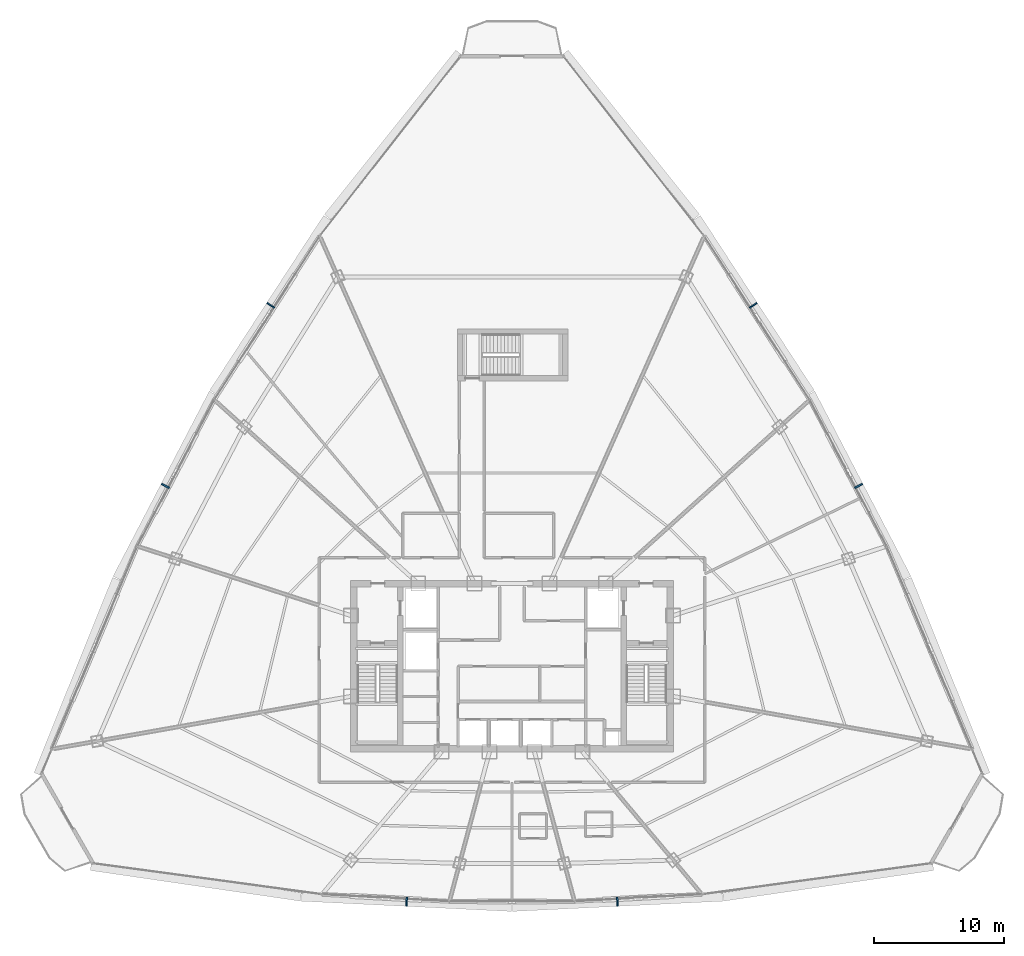
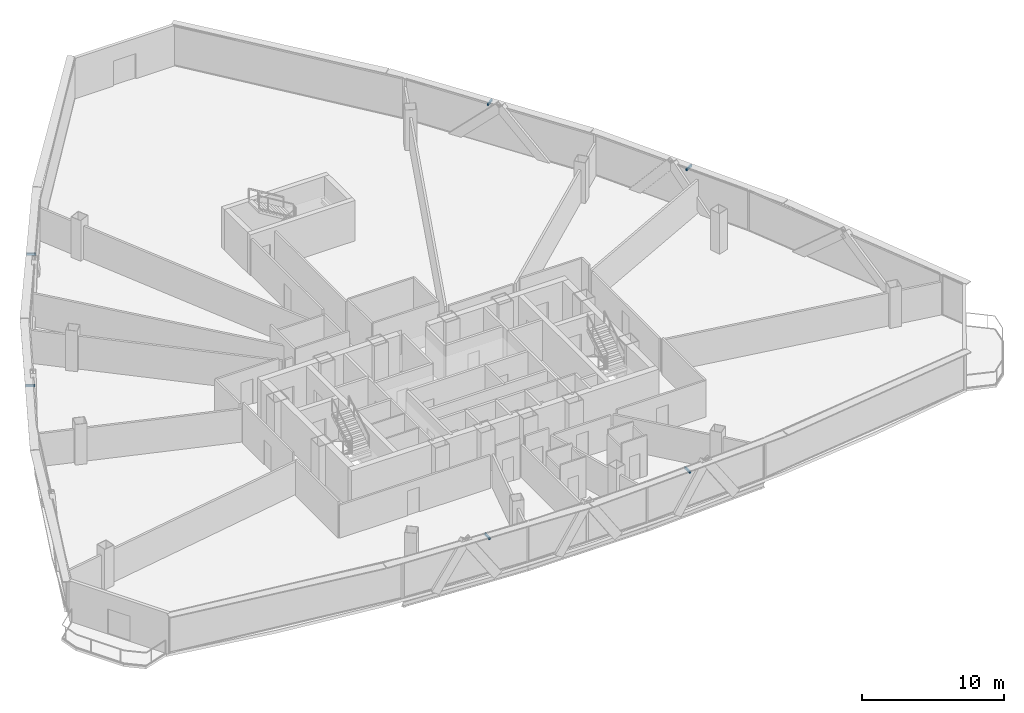
# One storey, part 30 of 34: 6 discrete accessories.
"""IFC4 building model written with IfcOpenShell, lengths in metres."""

from ifc_helpers import new_model, si_unit, direction, frame, origin, origin_2d, place, context, subcontext, project, spatial, rectangle, extrude, source, transform, mapped, material, type_object, element, save


model = new_model("IFC4")

# Units and contexts
model_context = context("Model", 3, precision=1e-05, world=origin(), true_north=direction((0.0, 1.0)))
body_context = subcontext(model_context, "Body", "Model", "MODEL_VIEW")
ifc_project = project(units=[si_unit("LENGTHUNIT", "METRE"), si_unit("AREAUNIT", "SQUARE_METRE"), si_unit("VOLUMEUNIT", "CUBIC_METRE"), si_unit("PLANEANGLEUNIT", "RADIAN"), si_unit("MASSUNIT", "GRAM", prefix="KILO"), si_unit("THERMODYNAMICTEMPERATUREUNIT", "KELVIN"), si_unit("POWERUNIT", "WATT")], contexts=[model_context])

# Site, building, storey
site_placement = place(None, origin())
site = spatial("IfcSite", under=ifc_project, at=site_placement, CompositionType="ELEMENT")
building_placement = place(site_placement, origin())
building = spatial("IfcBuilding", under=site, at=building_placement, Name="Yunzhuo Pagoda Commons", CompositionType="ELEMENT")
storey_placement = place(building_placement, frame((0.0, 0.0, 229.610107421875)))
storey = spatial("IfcBuildingStorey", under=building, at=storey_placement, Name="L57", CompositionType="ELEMENT", Elevation=229.610107421875)

# Discrete accessories
ifc_material = material(Name="Anodized aluminium 6063-T6", Category="aluminium")
discrete_accessory_type = type_object("IfcDiscreteAccessoryType", Name="BK-SUN1 Sunshade Outrigger Bracket", PredefinedType="BRACKET", material=ifc_material)
shared_shape = source(origin(), body_context, "Body", "SweptSolid", [
    extrude(rectangle(XDim=0.1201171875, YDim=0.679931640625, at=origin_2d()), origin(), (0.0, 0.0, 1.0), 0.179931640625),
])
for number, where, z_axis, x_axis, name in (
    (1, (39.888427734375, 15.71337890625, 3.259765625), (0.0, 0.0, 1.0), (0.998818043775, -0.04860571396, 0.0), "L57 sunshade outrigger bracket F1.2"),
    (2, (56.111572265625, 15.71337890625, 3.259765625), (0.0, 0.0, 1.0), (0.998818043775, 0.04860571396, 0.0), "L57 sunshade outrigger bracket F1.3"),
    (3, (74.686279296875, 47.717041015625, 3.259765625), (0.0, 0.0, 1.0), (-0.461206683033, 0.88729273384, 0.0), "L57 sunshade outrigger bracket F2.2"),
    (4, (66.57470703125, 61.61328125, 3.259765625), (0.0, 0.0, 1.0), (-0.545838756973, 0.837890238269, 0.0), "L57 sunshade outrigger bracket F2.3"),
    (5, (29.42529296875, 61.61328125, 3.259765625), (0.0, 0.0, 1.0), (-0.545838756973, -0.837890238269, 0.0), "L57 sunshade outrigger bracket F3.2"),
    (6, (21.313720703125, 47.717041015625, 3.259765625), (0.0, 0.0, 1.0), (-0.461206683033, -0.88729273384, 0.0), "L57 sunshade outrigger bracket F3.3"),
):
    element("IfcDiscreteAccessory", number, at=place(storey_placement, frame(where, z_axis=z_axis, x_axis=x_axis)), inside=storey, type_object=discrete_accessory_type, Name=name, PredefinedType="BRACKET", context=body_context, shape_type="MappedRepresentation", body=[
        mapped(shared_shape, transform((0.0, 0.0, 0.0), scale=1.0)),
    ])

save(model, "model.ifc")
